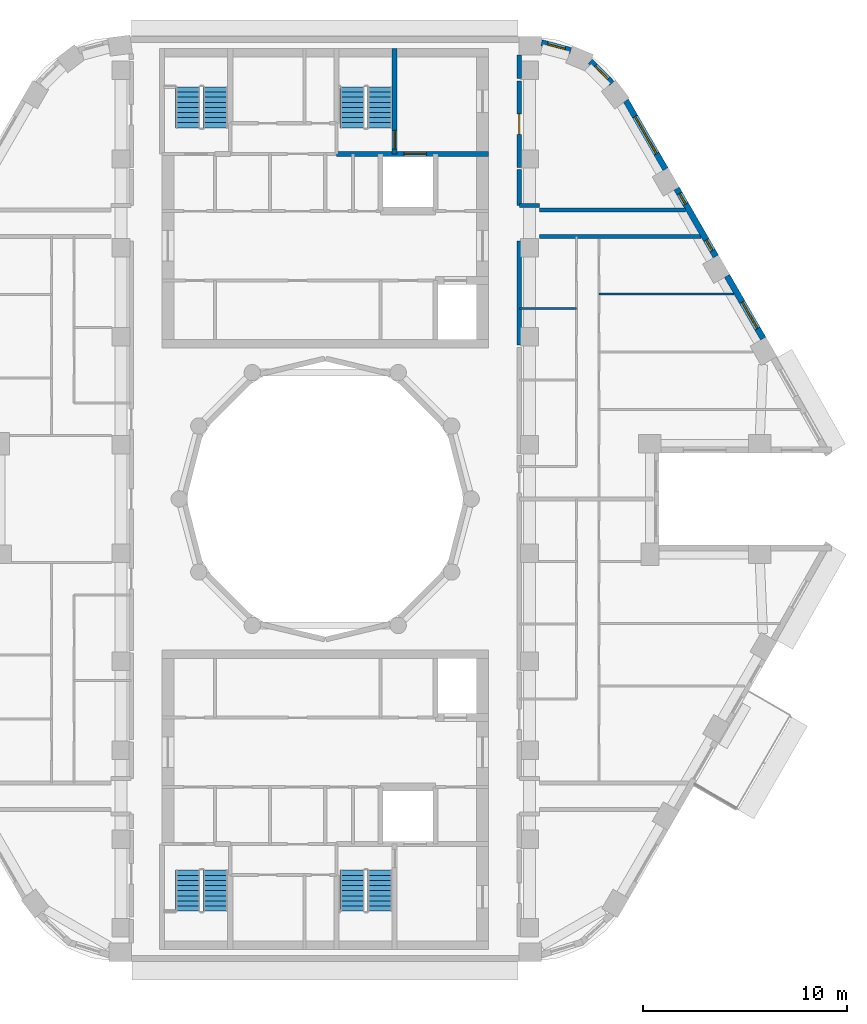
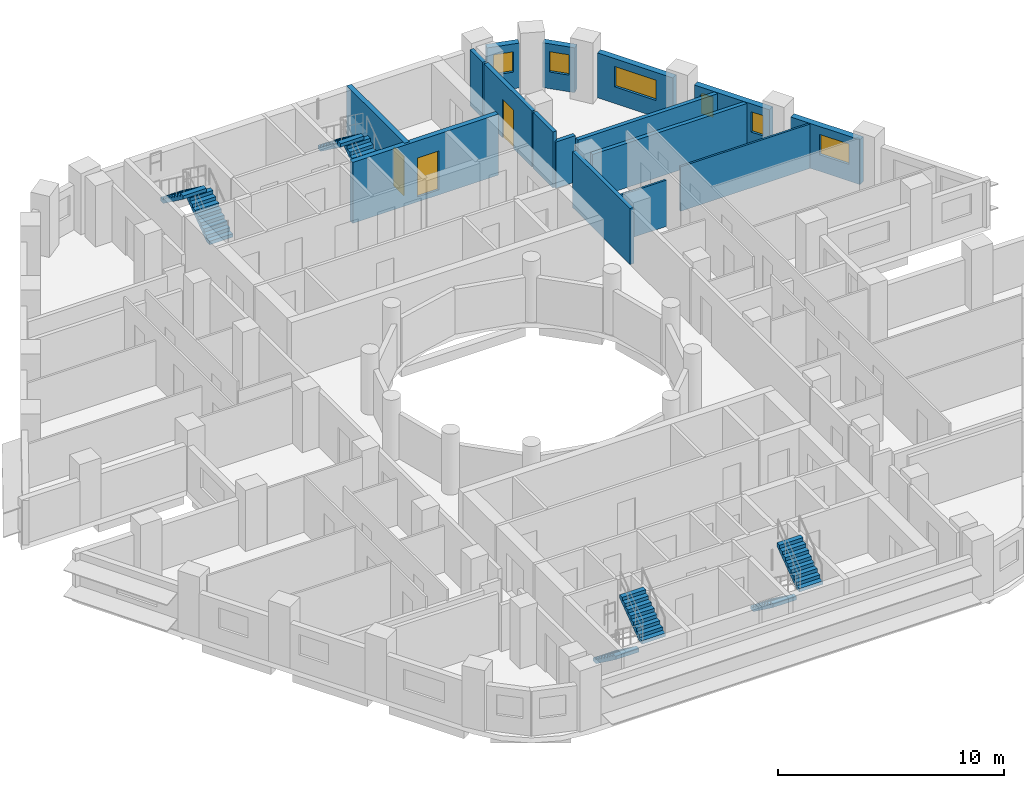
# One storey, part 8 of 12: 16 walls, 8 stair flights, 6 windows, 3 doors, 9 openings, 4 elements without a shape of their own.
"""IFC4 building model written with IfcOpenShell, lengths in metres."""

from ifc_helpers import new_model, si_unit, direction, frame, frame_2d, origin, place, context, subcontext, project, spatial, polyline, rectangle, outline, extrude, material, layer, layer_set, type_object, element, fill, aggregate, save


model = new_model("IFC4")

# Units and contexts
model_context = context("Model", 3, precision=1e-05, world=origin(), true_north=direction((0.0, 1.0)))
body_context = subcontext(model_context, "Body", "Model", "MODEL_VIEW")
ifc_project = project(units=[si_unit("LENGTHUNIT", "METRE"), si_unit("AREAUNIT", "SQUARE_METRE"), si_unit("VOLUMEUNIT", "CUBIC_METRE"), si_unit("PLANEANGLEUNIT", "RADIAN"), si_unit("MASSUNIT", "GRAM", prefix="KILO")], contexts=[model_context])

# Site, building, storey
site_placement = place(None, origin())
site = spatial("IfcSite", under=ifc_project, at=site_placement, CompositionType="ELEMENT")
building_placement = place(site_placement, origin())
building = spatial("IfcBuilding", under=site, at=building_placement, Name="Nakaniwa Court", CompositionType="ELEMENT")
storey_placement = place(building_placement, frame((0.0, 0.0, 236.10009765625)))
storey = spatial("IfcBuildingStorey", under=building, at=storey_placement, Name="L61", CompositionType="ELEMENT", Elevation=236.10009765625)

# Walls
ifc_material_1 = material(Name="Acoustic double stud partition")
ifc_layer_1 = layer(ifc_material_1, 0.199951171875)
ifc_layer_set_1 = layer_set([ifc_layer_1], Name="Acoustic double stud partition")
wall_type_1 = type_object("IfcWallType", Name="Acoustic double stud partition 200", PredefinedType="PARTITIONING", material=ifc_layer_set_1)
wall_1_placement = place(storey_placement, frame((89.5, 87.537109375, 0.0), z_axis=(0.0, 0.0, 1.0), x_axis=(0.0, 1.0, 0.0)))
element("IfcWall", 1, at=wall_1_placement, inside=storey, type_object=wall_type_1, Name="Partition PW-063", PredefinedType="PARTITIONING", context=body_context, shape_type="SweptSolid", body=[
    extrude(rectangle(XDim=5.0908203125, YDim=0.199951171875, at=frame_2d((2.54541015625, 0.0))), origin(), (0.0, 0.0, 1.0), 3.02490234375),
])
wall_2_placement = place(storey_placement, frame((89.5, 94.3720703125, 0.0), z_axis=(0.0, 0.0, 1.0), x_axis=(0.0, 1.0, 0.0)))
element("IfcWall", 2, at=wall_2_placement, inside=storey, type_object=wall_type_1, Name="Partition PW-064", PredefinedType="PARTITIONING", context=body_context, shape_type="SweptSolid", body=[
    extrude(rectangle(XDim=1.7509765625, YDim=0.199951171875, at=frame_2d((0.87548828125, 0.0))), origin(), (0.0, 0.0, 1.0), 3.02490234375),
])

# Wall, opening, door
wall_3_placement = place(storey_placement, frame((89.5, 100.472900390625, 0.0), z_axis=(0.0, 0.0, 1.0), x_axis=(0.0, -1.0, 0.0)))
wall_3 = element("IfcWall", 3, at=wall_3_placement, inside=storey, type_object=wall_type_1, Name="Partition PW-065", PredefinedType="PARTITIONING", context=body_context, shape_type="SweptSolid", body=[
    extrude(rectangle(XDim=4.23583984375, YDim=0.199951171875, at=frame_2d((2.117919921875, 0.0))), origin(), (0.0, 0.0, 1.0), 3.02490234375),
])
opening_1_placement = place(wall_3_placement, frame((1.617919921875, 0.0, 0.0)))
opening_1 = element("IfcOpeningElement", 4, at=opening_1_placement, cuts=wall_3, Name="Opening D-02-02", PredefinedType="OPENING", context=body_context, shape_type="SweptSolid", body=[
    extrude(rectangle(XDim=1.0, YDim=2.10009765625, at=frame_2d((0.5, 1.050048828125))), frame((0.0, 0.10986328125, 0.0), z_axis=(0.0, -1.0, 0.0), x_axis=(1.0, 0.0, 0.0)), (0.0, 0.0, 1.0), 0.219970703125),
])
ifc_material_2 = material(Name="Solid core timber door set, black veneer", Category="wood")
door_type_1 = type_object("IfcDoorType", Name="Internal door 1000", OperationType="NOTDEFINED", PredefinedType="DOOR", material=ifc_material_2)
door_1_placement = place(opening_1_placement, origin())
door_1 = element("IfcDoor", 5, at=door_1_placement, inside=storey, type_object=door_type_1, Name="Door D-02-02 L61-046", OperationType="SINGLE_SWING_LEFT", OverallHeight=2.10009765625, OverallWidth=1.0, PredefinedType="DOOR", context=body_context, shape_type="SweptSolid", body=[
    extrude(rectangle(XDim=1.0, YDim=2.10009765625, at=frame_2d((0.5, 1.050048828125))), frame((0.0, 0.02490234375, 0.0), z_axis=(0.0, -1.0, 0.0), x_axis=(1.0, 0.0, 0.0)), (0.0, 0.0, 1.0), 0.050048828125),
])
fill(opening_1, door_1)

# Walls
wall_4_placement = place(storey_placement, frame((89.5, 100.5869140625, 0.0), z_axis=(0.0, 0.0, 1.0), x_axis=(0.0, 1.0, 0.0)))
element("IfcWall", 6, at=wall_4_placement, inside=storey, type_object=wall_type_1, Name="Partition PW-066", PredefinedType="PARTITIONING", context=body_context, shape_type="SweptSolid", body=[
    extrude(rectangle(XDim=1.14599609375, YDim=0.199951171875, at=frame_2d((0.572998046875, 0.0))), origin(), (0.0, 0.0, 1.0), 3.02490234375),
])
wall_5_placement = place(storey_placement, frame((90.5, 92.85009765625, 0.0), z_axis=(0.0, 0.0, 1.0), x_axis=(1.0, 0.0, 0.0)))
element("IfcWall", 7, at=wall_5_placement, inside=storey, type_object=wall_type_1, Name="Partition PW-068", PredefinedType="PARTITIONING", context=body_context, shape_type="SweptSolid", body=[
    extrude(rectangle(XDim=7.888671875, YDim=0.199951171875, at=frame_2d((3.9443359375, 0.0))), origin(), (0.0, 0.0, 1.0), 2.40478515625),
])
wall_6_placement = place(storey_placement, frame((89.5, 94.375, 0.0), z_axis=(0.0, 0.0, 1.0), x_axis=(1.0, 0.0, 0.0)))
element("IfcWall", 8, at=wall_6_placement, inside=storey, type_object=wall_type_1, Name="Partition PW-070", PredefinedType="PARTITIONING", context=body_context, shape_type="SweptSolid", body=[
    extrude(rectangle(XDim=1.0, YDim=0.199951171875, at=frame_2d((0.5, 0.0))), origin(), (0.0, 0.0, 1.0), 2.5048828125),
])
wall_7_placement = place(storey_placement, frame((90.5, 94.14990234375, 0.0), z_axis=(0.0, 0.0, 1.0), x_axis=(1.0, 0.0, 0.0)))
element("IfcWall", 9, at=wall_7_placement, inside=storey, type_object=wall_type_1, Name="Partition PW-072", PredefinedType="PARTITIONING", context=body_context, shape_type="SweptSolid", body=[
    extrude(rectangle(XDim=7.13818359375, YDim=0.199951171875, at=frame_2d((3.569091796875, 0.0))), origin(), (0.0, 0.0, 1.0), 2.40478515625),
])

# Wall, opening, window
ifc_material_3 = material(Name="Charcoal ceramic cladding")
ifc_layer_2 = layer(ifc_material_3, 0.02, Name="Ceramic cladding")
ifc_material_4 = material(Name="Ventilated air cavity")
ifc_layer_3 = layer(ifc_material_4, 0.04, ventilated=True, Name="Ventilated cavity")
ifc_material_5 = material(Name="Mineral wool insulation")
ifc_layer_4 = layer(ifc_material_5, 0.1, Name="Insulation")
ifc_material_6 = material(Name="Cement bonded sheathing board")
ifc_layer_5 = layer(ifc_material_6, 0.012, Name="Sheathing")
ifc_material_7 = material(Name="Cold-formed galvanised stud frame with mineral wool infill")
ifc_layer_6 = layer(ifc_material_7, 0.1, Name="Stud frame")
ifc_material_8 = material(Name="Fire-rated gypsum plasterboard lining")
ifc_layer_7 = layer(ifc_material_8, 0.028, Name="Lining")
ifc_layer_set_2 = layer_set([ifc_layer_2, ifc_layer_3, ifc_layer_4, ifc_layer_5, ifc_layer_6, ifc_layer_7], Name="Charcoal ceramic faced external wall system")
wall_type_2 = type_object("IfcWallType", Name="Black ceramic faced external wall 300", PredefinedType="SOLIDWALL", material=ifc_layer_set_2)
wall_8_placement = place(storey_placement, frame((101.44580078125, 87.85498046875, 0.0), z_axis=(0.0, 0.0, 1.0), x_axis=(-0.500010404316, 0.866019396766, 0.0)))
wall_8 = element("IfcWall", 10, at=wall_8_placement, inside=storey, type_object=wall_type_2, Name="L61 external wall 03", PredefinedType="SOLIDWALL", context=body_context, shape_type="SweptSolid", body=[
    extrude(rectangle(XDim=3.54736328125, YDim=0.300048828125, at=frame_2d((1.773681640625, 0.0))), origin(), (0.0, 0.0, 1.0), 2.4248046875),
])
opening_2_placement = place(wall_8_placement, frame((0.56640625, 0.0, 0.89990234375)))
opening_2 = element("IfcOpeningElement", 11, at=opening_2_placement, cuts=wall_8, Name="Opening W5.05", PredefinedType="OPENING", context=body_context, shape_type="SweptSolid", body=[
    extrude(rectangle(XDim=1.5, YDim=1.10009765625, at=frame_2d((0.75, 0.550048828125))), frame((0.0, 0.159912109375, 0.0), z_axis=(0.0, -1.0, 0.0), x_axis=(1.0, 0.0, 0.0)), (0.0, 0.0, 1.0), 0.320068359375),
])
ifc_material_9 = material(Name="Black anodised aluminium frame with dark low-E laminated double glazing", Category="aluminium")
window_type_1 = type_object("IfcWindowType", Name="Dark glass window 1500x1100 sill 900", PartitioningType="SINGLE_PANEL", PredefinedType="WINDOW", material=ifc_material_9)
window_1_placement = place(opening_2_placement, origin())
window_1 = element("IfcWindow", 12, at=window_1_placement, inside=storey, type_object=window_type_1, Name="L61 bedroom window 03-0", OverallHeight=1.10009765625, OverallWidth=1.5, PartitioningType="SINGLE_PANEL", PredefinedType="WINDOW", context=body_context, shape_type="SweptSolid", body=[
    extrude(rectangle(XDim=1.5, YDim=1.10009765625, at=frame_2d((0.75, 0.550048828125))), frame((0.0, 0.030029296875, 0.0), z_axis=(0.0, -1.0, 0.0), x_axis=(1.0, 0.0, 0.0)), (0.0, 0.0, 1.0), 0.06005859375),
])
fill(opening_2, window_1)

# Wall, openings, windows
wall_9_placement = place(storey_placement, frame((99.126220703125, 91.87255859375, 0.0), z_axis=(0.0, 0.0, 1.0), x_axis=(-0.499984490703, 0.866034357896, 0.0)))
wall_9 = element("IfcWall", 13, at=wall_9_placement, inside=storey, type_object=wall_type_2, Name="L61 external wall 04", PredefinedType="SOLIDWALL", context=body_context, shape_type="SweptSolid", body=[
    extrude(rectangle(XDim=3.84423828125, YDim=0.300048828125, at=frame_2d((1.922119140625, 0.0))), origin(), (0.0, 0.0, 1.0), 2.4248046875),
])
opening_3_placement = place(wall_9_placement, frame((0.33837890625, 0.0, 0.89990234375)))
opening_3 = element("IfcOpeningElement", 14, at=opening_3_placement, cuts=wall_9, Name="Opening W8.06", PredefinedType="OPENING", context=body_context, shape_type="SweptSolid", body=[
    extrude(rectangle(XDim=0.60009765625, YDim=1.10009765625, at=frame_2d((0.300048828125, 0.550048828125))), frame((0.0, 0.159912109375, 0.0), z_axis=(0.0, -1.0, 0.0), x_axis=(1.0, 0.0, 0.0)), (0.0, 0.0, 1.0), 0.320068359375),
])
opening_4_placement = place(wall_9_placement, frame((2.961181640625, 0.0, 0.89990234375)))
opening_4 = element("IfcOpeningElement", 15, at=opening_4_placement, cuts=wall_9, Name="Opening W8.07", PredefinedType="OPENING", context=body_context, shape_type="SweptSolid", body=[
    extrude(rectangle(XDim=0.60009765625, YDim=1.10009765625, at=frame_2d((0.300048828125, 0.550048828125))), frame((0.0, 0.159912109375, 0.0), z_axis=(0.0, -1.0, 0.0), x_axis=(1.0, 0.0, 0.0)), (0.0, 0.0, 1.0), 0.320068359375),
])
window_type_2 = type_object("IfcWindowType", Name="Dark glass window 600x1100 sill 900", PartitioningType="SINGLE_PANEL", PredefinedType="WINDOW", material=ifc_material_9)
window_2_placement = place(opening_3_placement, origin())
window_2 = element("IfcWindow", 16, at=window_2_placement, inside=storey, type_object=window_type_2, Name="L61 bedroom window 04-0", OverallHeight=1.10009765625, OverallWidth=0.60009765625, PartitioningType="SINGLE_PANEL", PredefinedType="WINDOW", context=body_context, shape_type="SweptSolid", body=[
    extrude(rectangle(XDim=0.60009765625, YDim=1.10009765625, at=frame_2d((0.300048828125, 0.550048828125))), frame((0.0, 0.030029296875, 0.0), z_axis=(0.0, -1.0, 0.0), x_axis=(1.0, 0.0, 0.0)), (0.0, 0.0, 1.0), 0.06005859375),
])
fill(opening_3, window_2)
window_3_placement = place(opening_4_placement, origin())
window_3 = element("IfcWindow", 17, at=window_3_placement, inside=storey, type_object=window_type_2, Name="L61 habitable room window 04-2", OverallHeight=1.10009765625, OverallWidth=0.60009765625, PartitioningType="SINGLE_PANEL", PredefinedType="WINDOW", context=body_context, shape_type="SweptSolid", body=[
    extrude(rectangle(XDim=0.60009765625, YDim=1.10009765625, at=frame_2d((0.300048828125, 0.550048828125))), frame((0.0, 0.030029296875, 0.0), z_axis=(0.0, -1.0, 0.0), x_axis=(1.0, 0.0, 0.0)), (0.0, 0.0, 1.0), 0.06005859375),
])
fill(opening_4, window_3)

# Wall, opening, window
wall_10_placement = place(storey_placement, frame((96.657958984375, 96.1474609375, 0.0), z_axis=(0.0, 0.0, 1.0), x_axis=(-0.500011218404, 0.866018926739, 0.0)))
wall_10 = element("IfcWall", 18, at=wall_10_placement, inside=storey, type_object=wall_type_2, Name="L61 external wall 05", PredefinedType="SOLIDWALL", context=body_context, shape_type="SweptSolid", body=[
    extrude(rectangle(XDim=3.87890625, YDim=0.300048828125, at=frame_2d((1.939453125, 0.0))), origin(), (0.0, 0.0, 1.0), 2.4248046875),
])
opening_5_placement = place(wall_10_placement, frame((0.878173828125, 0.0, 0.89990234375)))
opening_5 = element("IfcOpeningElement", 19, at=opening_5_placement, cuts=wall_10, Name="Opening W7.08", PredefinedType="OPENING", context=body_context, shape_type="SweptSolid", body=[
    extrude(rectangle(XDim=2.10009765625, YDim=1.10009765625, at=frame_2d((1.050048828125, 0.550048828125))), frame((0.0, 0.159912109375, 0.0), z_axis=(0.0, -1.0, 0.0), x_axis=(1.0, 0.0, 0.0)), (0.0, 0.0, 1.0), 0.320068359375),
])
window_type_3 = type_object("IfcWindowType", Name="Dark glass window 2100x1100 sill 900", PartitioningType="SINGLE_PANEL", PredefinedType="WINDOW", material=ifc_material_9)
window_4_placement = place(opening_5_placement, origin())
window_4 = element("IfcWindow", 20, at=window_4_placement, inside=storey, type_object=window_type_3, Name="L61 habitable room window 05-0", OverallHeight=1.10009765625, OverallWidth=2.10009765625, PartitioningType="SINGLE_PANEL", PredefinedType="WINDOW", context=body_context, shape_type="SweptSolid", body=[
    extrude(rectangle(XDim=2.10009765625, YDim=1.10009765625, at=frame_2d((1.050048828125, 0.550048828125))), frame((0.0, 0.030029296875, 0.0), z_axis=(0.0, -1.0, 0.0), x_axis=(1.0, 0.0, 0.0)), (0.0, 0.0, 1.0), 0.06005859375),
])
fill(opening_5, window_4)

wall_11_placement = place(storey_placement, frame((94.0341796875, 100.3583984375, 0.0), z_axis=(0.0, 0.0, 1.0), x_axis=(-0.698675602211, 0.71543860874, 0.0)))
wall_11 = element("IfcWall", 21, at=wall_11_placement, inside=storey, type_object=wall_type_2, Name="L61 external wall 06", PredefinedType="SOLIDWALL", context=body_context, shape_type="SweptSolid", body=[
    extrude(rectangle(XDim=1.5, YDim=0.300048828125, at=frame_2d((0.75, 0.0))), origin(), (0.0, 0.0, 1.0), 2.4248046875),
])
opening_6_placement = place(wall_11_placement, frame((0.27587890625, 0.0, 0.89990234375)))
opening_6 = element("IfcOpeningElement", 22, at=opening_6_placement, cuts=wall_11, Name="Opening W9.09", PredefinedType="OPENING", context=body_context, shape_type="SweptSolid", body=[
    extrude(rectangle(XDim=0.89990234375, YDim=1.10009765625, at=frame_2d((0.449951171875, 0.550048828125))), frame((0.0, 0.159912109375, 0.0), z_axis=(0.0, -1.0, 0.0), x_axis=(1.0, 0.0, 0.0)), (0.0, 0.0, 1.0), 0.320068359375),
])
window_type_4 = type_object("IfcWindowType", Name="Dark glass window 900x1100 sill 900", PartitioningType="SINGLE_PANEL", PredefinedType="WINDOW", material=ifc_material_9)
window_5_placement = place(opening_6_placement, origin())
window_5 = element("IfcWindow", 23, at=window_5_placement, inside=storey, type_object=window_type_4, Name="L61 habitable room window 06-0", OverallHeight=1.10009765625, OverallWidth=0.89990234375, PartitioningType="SINGLE_PANEL", PredefinedType="WINDOW", context=body_context, shape_type="SweptSolid", body=[
    extrude(rectangle(XDim=0.89990234375, YDim=1.10009765625, at=frame_2d((0.449951171875, 0.550048828125))), frame((0.0, 0.030029296875, 0.0), z_axis=(0.0, -1.0, 0.0), x_axis=(1.0, 0.0, 0.0)), (0.0, 0.0, 1.0), 0.06005859375),
])
fill(opening_6, window_5)

wall_12_placement = place(storey_placement, frame((92.02099609375, 101.956298828125, 0.0), z_axis=(0.0, 0.0, 1.0), x_axis=(-0.965392564919, 0.260801065181, 0.0)))
wall_12 = element("IfcWall", 24, at=wall_12_placement, inside=storey, type_object=wall_type_2, Name="L61 external wall 07", PredefinedType="SOLIDWALL", context=body_context, shape_type="SweptSolid", body=[
    extrude(rectangle(XDim=1.48095703125, YDim=0.300048828125, at=frame_2d((0.740478515625, 0.0))), origin(), (0.0, 0.0, 1.0), 2.4248046875),
])
opening_7_placement = place(wall_12_placement, frame((0.280029296875, 0.0, 0.89990234375)))
opening_7 = element("IfcOpeningElement", 25, at=opening_7_placement, cuts=wall_12, Name="Opening W9.10", PredefinedType="OPENING", context=body_context, shape_type="SweptSolid", body=[
    extrude(rectangle(XDim=0.89990234375, YDim=1.10009765625, at=frame_2d((0.449951171875, 0.550048828125))), frame((0.0, 0.159912109375, 0.0), z_axis=(0.0, -1.0, 0.0), x_axis=(1.0, 0.0, 0.0)), (0.0, 0.0, 1.0), 0.320068359375),
])
window_6_placement = place(opening_7_placement, origin())
window_6 = element("IfcWindow", 26, at=window_6_placement, inside=storey, type_object=window_type_4, Name="L61 habitable room window 07-0", OverallHeight=1.10009765625, OverallWidth=0.89990234375, PartitioningType="SINGLE_PANEL", PredefinedType="WINDOW", context=body_context, shape_type="SweptSolid", body=[
    extrude(rectangle(XDim=0.89990234375, YDim=1.10009765625, at=frame_2d((0.449951171875, 0.550048828125))), frame((0.0, 0.030029296875, 0.0), z_axis=(0.0, -1.0, 0.0), x_axis=(1.0, 0.0, 0.0)), (0.0, 0.0, 1.0), 0.06005859375),
])
fill(opening_7, window_6)

# Wall, opening, door
ifc_material_10 = material(Name="Concrete C80/100", Category="concrete")
ifc_layer_8 = layer(ifc_material_10, 0.25)
ifc_layer_set_3 = layer_set([ifc_layer_8], Name="Concrete C80/100")
wall_type_3 = type_object("IfcWallType", Name="Concrete shaft wall 250 C80", PredefinedType="SHEAR", material=ifc_layer_set_3)
wall_13_placement = place(storey_placement, frame((80.547119140625, 96.89990234375, -0.275146484375), z_axis=(0.0, 0.0, 1.0), x_axis=(1.0, 0.0, 0.0)))
wall_13 = element("IfcWall", 27, at=wall_13_placement, inside=storey, type_object=wall_type_3, Name="Core wall SW-16", PredefinedType="SHEAR", context=body_context, shape_type="SweptSolid", body=[
    extrude(rectangle(XDim=7.452880859375, YDim=0.25, at=frame_2d((3.7265625, 0.0))), origin(), (0.0, 0.0, 1.0), 3.300048828125),
])
opening_8_placement = place(wall_13_placement, frame((3.302001953125, 0.0, 0.27490234375)))
opening_8 = element("IfcOpeningElement", 28, at=opening_8_placement, cuts=wall_13, Name="Opening LD02", PredefinedType="OPENING", context=body_context, shape_type="SweptSolid", body=[
    extrude(rectangle(XDim=1.10009765625, YDim=2.10009765625, at=frame_2d((0.550048828125, 1.050048828125))), frame((0.0, 0.135009765625, 0.0), z_axis=(0.0, -1.0, 0.0), x_axis=(1.0, 0.0, 0.0)), (0.0, 0.0, 1.0), 0.27001953125),
])
ifc_material_11 = material(Name="Stainless steel sliding lift landing door", Category="steel")
door_type_2 = type_object("IfcDoorType", Name="Lift landing door 1100", OperationType="NOTDEFINED", PredefinedType="DOOR", material=ifc_material_11)
door_2_placement = place(opening_8_placement, origin())
door_2 = element("IfcDoor", 29, at=door_2_placement, inside=storey, type_object=door_type_2, Name="Lift landing door LD02 L61-002", OperationType="SLIDING_TO_LEFT", OverallHeight=2.10009765625, OverallWidth=1.10009765625, PredefinedType="DOOR", context=body_context, shape_type="SweptSolid", body=[
    extrude(rectangle(XDim=1.10009765625, YDim=2.10009765625, at=frame_2d((0.550048828125, 1.050048828125))), frame((0.0, 0.02490234375, 0.0), z_axis=(0.0, -1.0, 0.0), x_axis=(1.0, 0.0, 0.0)), (0.0, 0.0, 1.0), 0.050048828125),
])
fill(opening_8, door_2)

wall_14_placement = place(storey_placement, frame((83.39990234375, 102.050048828125, -0.275146484375), z_axis=(0.0, 0.0, 1.0), x_axis=(0.0, -1.0, 0.0)))
wall_14 = element("IfcWall", 30, at=wall_14_placement, inside=storey, type_object=wall_type_3, Name="Core wall SW-24", PredefinedType="SHEAR", context=body_context, shape_type="SweptSolid", body=[
    extrude(rectangle(XDim=5.150146484375, YDim=0.25, at=frame_2d((2.5751953125, 0.0))), origin(), (0.0, 0.0, 1.0), 3.300048828125),
])
opening_9_placement = place(wall_14_placement, frame((4.0, 0.0, 0.27490234375)))
opening_9 = element("IfcOpeningElement", 31, at=opening_9_placement, cuts=wall_14, Name="Opening D-11-01", PredefinedType="OPENING", context=body_context, shape_type="SweptSolid", body=[
    extrude(rectangle(XDim=0.89990234375, YDim=2.10009765625, at=frame_2d((0.449951171875, 1.050048828125))), frame((0.0, 0.135009765625, 0.0), z_axis=(0.0, -1.0, 0.0), x_axis=(1.0, 0.0, 0.0)), (0.0, 0.0, 1.0), 0.27001953125),
])
ifc_material_12 = material(Name="Fire rated steel door set", Category="steel")
door_type_3 = type_object("IfcDoorType", Name="Stair door 900", OperationType="NOTDEFINED", PredefinedType="DOOR", material=ifc_material_12)
door_3_placement = place(opening_9_placement, origin())
door_3 = element("IfcDoor", 32, at=door_3_placement, inside=storey, type_object=door_type_3, Name="Door D-11-01 L61-014", OperationType="SINGLE_SWING_RIGHT", OverallHeight=2.10009765625, OverallWidth=0.89990234375, PredefinedType="DOOR", context=body_context, shape_type="SweptSolid", body=[
    extrude(rectangle(XDim=0.89990234375, YDim=2.10009765625, at=frame_2d((0.449951171875, 1.050048828125))), frame((0.0, 0.02490234375, 0.0), z_axis=(0.0, -1.0, 0.0), x_axis=(1.0, 0.0, 0.0)), (0.0, 0.0, 1.0), 0.050048828125),
])
fill(opening_9, door_3)

# Walls
ifc_material_13 = material(Name="Single stud plasterboard partition")
ifc_layer_9 = layer(ifc_material_13, 0.10009765625)
ifc_layer_set_4 = layer_set([ifc_layer_9], Name="Single stud plasterboard partition")
wall_type_4 = type_object("IfcWallType", Name="Single stud plasterboard partition 100", PredefinedType="PARTITIONING", material=ifc_layer_set_4)
wall_15_placement = place(storey_placement, frame((89.5, 89.333984375, 0.0), z_axis=(0.0, 0.0, 1.0), x_axis=(1.0, 0.0, 0.0)))
element("IfcWall", 33, at=wall_15_placement, inside=storey, type_object=wall_type_4, Name="Partition PW-102", PredefinedType="PARTITIONING", context=body_context, shape_type="SweptSolid", body=[
    extrude(rectangle(XDim=2.800048828125, YDim=0.10009765625, at=frame_2d((1.39990234375, 0.0))), origin(), (0.0, 0.0, 1.0), 2.5048828125),
])
wall_16_placement = place(storey_placement, frame((93.39990234375, 90.029052734375, 0.0), z_axis=(0.0, 0.0, 1.0), x_axis=(1.0, 0.0, 0.0)))
element("IfcWall", 34, at=wall_16_placement, inside=storey, type_object=wall_type_4, Name="Partition PW-105", PredefinedType="PARTITIONING", context=body_context, shape_type="SweptSolid", body=[
    extrude(rectangle(XDim=6.6171875, YDim=0.10009765625, at=frame_2d((3.30859375, 0.0))), origin(), (0.0, 0.0, 1.0), 2.40478515625),
])

# Stair, stair flights
stair_type = type_object("IfcStairType", Name="Dog leg stair 1200 wide 18 risers", PredefinedType="HALF_TURN_STAIR", material=ifc_material_10)
stair_1_placement = place(storey_placement, origin())
stair_1 = element("IfcStair", 35, at=stair_1_placement, inside=storey, type_object=stair_type, Name="L61 Stair ST1", PredefinedType="HALF_TURN_STAIR")
stair_flight_type = type_object("IfcStairFlightType", Name="Stair flight 1200 wide 9 risers", PredefinedType="STRAIGHT", material=ifc_material_10)
stair_flight_1_placement = place(storey_placement, frame((74.625, 98.175048828125, 0.0), z_axis=(0.0, 0.0, 1.0), x_axis=(0.0, 1.0, 0.0)))
stair_flight_1 = element("IfcStairFlight", 36, at=stair_flight_1_placement, type_object=stair_flight_type, Name="ST1 flight 1", NumberOfRisers=9, NumberOfTreads=8, PredefinedType="STRAIGHT", RiserHeight=0.183333333, TreadLength=0.25, context=body_context, shape_type="SweptSolid", body=[
    extrude(outline(polyline([(0.0, 0.0), (0.0, 0.026123046875), (0.0, 0.052490234375), (0.0, 0.07861328125), (0.0, 0.104736328125), (0.0, 0.130859375), (0.0, 0.1572265625), (0.0, 0.183349609375), (0.25, 0.183349609375), (0.25, 0.36669921875), (0.5, 0.36669921875), (0.5, 0.550048828125), (0.75, 0.550048828125), (0.75, 0.7333984375), (1.0, 0.7333984375), (1.0, 0.916748046875), (1.25, 0.916748046875), (1.25, 1.10009765625), (1.5, 1.10009765625), (1.5, 1.283447265625), (1.75, 1.283447265625), (1.75, 1.466552734375), (2.0, 1.466552734375), (2.0, 1.64990234375), (2.0, 1.59716796875), (2.0, 1.54443359375), (2.0, 1.49169921875), (2.0, 1.43896484375), (2.0, 1.38623046875), (2.0, 1.33349609375), (2.0, 1.28076171875), (0.25341796875, 0.0), (0.0, 0.0)])), frame((0.0, 0.60009765625, 0.0), z_axis=(0.0, -1.0, 0.0), x_axis=(1.0, 0.0, 0.0)), (0.0, 0.0, 1.0), 1.199951171875),
])
stair_flight_2_placement = place(storey_placement, frame((73.27490234375, 100.175048828125, 1.64990234375), z_axis=(0.0, 0.0, 1.0), x_axis=(0.0, -1.0, 0.0)))
stair_flight_2 = element("IfcStairFlight", 37, at=stair_flight_2_placement, type_object=stair_flight_type, Name="ST1 flight 2", NumberOfRisers=9, NumberOfTreads=8, PredefinedType="STRAIGHT", RiserHeight=0.183333333, TreadLength=0.25, context=body_context, shape_type="SweptSolid", body=[
    extrude(outline(polyline([(0.0, 0.0), (0.0, 0.026123046875), (0.0, 0.052490234375), (0.0, 0.07861328125), (0.0, 0.104736328125), (0.0, 0.130859375), (0.0, 0.1572265625), (0.0, 0.183349609375), (0.25, 0.183349609375), (0.25, 0.36669921875), (0.5, 0.36669921875), (0.5, 0.550048828125), (0.75, 0.550048828125), (0.75, 0.7333984375), (1.0, 0.7333984375), (1.0, 0.916748046875), (1.25, 0.916748046875), (1.25, 1.10009765625), (1.5, 1.10009765625), (1.5, 1.283447265625), (1.75, 1.283447265625), (1.75, 1.466552734375), (2.0, 1.466552734375), (2.0, 1.64990234375), (2.0, 1.59716796875), (2.0, 1.54443359375), (2.0, 1.49169921875), (2.0, 1.43896484375), (2.0, 1.38623046875), (2.0, 1.33349609375), (2.0, 1.28076171875), (0.25341796875, 0.0), (0.0, 0.0)])), frame((0.0, 0.60009765625, 0.0), z_axis=(0.0, -1.0, 0.0), x_axis=(1.0, 0.0, 0.0)), (0.0, 0.0, 1.0), 1.199951171875),
])
aggregate(stair_1, [stair_flight_1, stair_flight_2])

stair_2_placement = place(storey_placement, origin())
stair_2 = element("IfcStair", 38, at=stair_2_placement, inside=storey, type_object=stair_type, Name="L61 Stair ST2", PredefinedType="HALF_TURN_STAIR")
stair_flight_3_placement = place(storey_placement, frame((82.675048828125, 98.175048828125, 0.0), z_axis=(0.0, 0.0, 1.0), x_axis=(0.0, 1.0, 0.0)))
stair_flight_3 = element("IfcStairFlight", 39, at=stair_flight_3_placement, type_object=stair_flight_type, Name="ST2 flight 1", NumberOfRisers=9, NumberOfTreads=8, PredefinedType="STRAIGHT", RiserHeight=0.183333333, TreadLength=0.25, context=body_context, shape_type="SweptSolid", body=[
    extrude(outline(polyline([(0.0, 0.0), (0.0, 0.026123046875), (0.0, 0.052490234375), (0.0, 0.07861328125), (0.0, 0.104736328125), (0.0, 0.130859375), (0.0, 0.1572265625), (0.0, 0.183349609375), (0.25, 0.183349609375), (0.25, 0.36669921875), (0.5, 0.36669921875), (0.5, 0.550048828125), (0.75, 0.550048828125), (0.75, 0.7333984375), (1.0, 0.7333984375), (1.0, 0.916748046875), (1.25, 0.916748046875), (1.25, 1.10009765625), (1.5, 1.10009765625), (1.5, 1.283447265625), (1.75, 1.283447265625), (1.75, 1.466552734375), (2.0, 1.466552734375), (2.0, 1.64990234375), (2.0, 1.59716796875), (2.0, 1.54443359375), (2.0, 1.49169921875), (2.0, 1.43896484375), (2.0, 1.38623046875), (2.0, 1.33349609375), (2.0, 1.28076171875), (0.25341796875, 0.0), (0.0, 0.0)])), frame((0.0, 0.60009765625, 0.0), z_axis=(0.0, -1.0, 0.0), x_axis=(1.0, 0.0, 0.0)), (0.0, 0.0, 1.0), 1.199951171875),
])
stair_flight_4_placement = place(storey_placement, frame((81.324951171875, 100.175048828125, 1.64990234375), z_axis=(0.0, 0.0, 1.0), x_axis=(0.0, -1.0, 0.0)))
stair_flight_4 = element("IfcStairFlight", 40, at=stair_flight_4_placement, type_object=stair_flight_type, Name="ST2 flight 2", NumberOfRisers=9, NumberOfTreads=8, PredefinedType="STRAIGHT", RiserHeight=0.183333333, TreadLength=0.25, context=body_context, shape_type="SweptSolid", body=[
    extrude(outline(polyline([(0.0, 0.0), (0.0, 0.026123046875), (0.0, 0.052490234375), (0.0, 0.07861328125), (0.0, 0.104736328125), (0.0, 0.130859375), (0.0, 0.1572265625), (0.0, 0.183349609375), (0.25, 0.183349609375), (0.25, 0.36669921875), (0.5, 0.36669921875), (0.5, 0.550048828125), (0.75, 0.550048828125), (0.75, 0.7333984375), (1.0, 0.7333984375), (1.0, 0.916748046875), (1.25, 0.916748046875), (1.25, 1.10009765625), (1.5, 1.10009765625), (1.5, 1.283447265625), (1.75, 1.283447265625), (1.75, 1.466552734375), (2.0, 1.466552734375), (2.0, 1.64990234375), (2.0, 1.59716796875), (2.0, 1.54443359375), (2.0, 1.49169921875), (2.0, 1.43896484375), (2.0, 1.38623046875), (2.0, 1.33349609375), (2.0, 1.28076171875), (0.25341796875, 0.0), (0.0, 0.0)])), frame((0.0, 0.60009765625, 0.0), z_axis=(0.0, -1.0, 0.0), x_axis=(1.0, 0.0, 0.0)), (0.0, 0.0, 1.0), 1.199951171875),
])
aggregate(stair_2, [stair_flight_3, stair_flight_4])

stair_3_placement = place(storey_placement, origin())
stair_3 = element("IfcStair", 41, at=stair_3_placement, inside=storey, type_object=stair_type, Name="L61 Stair ST3", PredefinedType="HALF_TURN_STAIR")
stair_flight_5_placement = place(storey_placement, frame((73.27490234375, 61.824951171875, 0.0), z_axis=(0.0, 0.0, 1.0), x_axis=(0.0, -1.0, 0.0)))
stair_flight_5 = element("IfcStairFlight", 42, at=stair_flight_5_placement, type_object=stair_flight_type, Name="ST3 flight 1", NumberOfRisers=9, NumberOfTreads=8, PredefinedType="STRAIGHT", RiserHeight=0.183333333, TreadLength=0.25, context=body_context, shape_type="SweptSolid", body=[
    extrude(outline(polyline([(0.0, 0.0), (0.0, 0.026123046875), (0.0, 0.052490234375), (0.0, 0.07861328125), (0.0, 0.104736328125), (0.0, 0.130859375), (0.0, 0.1572265625), (0.0, 0.183349609375), (0.25, 0.183349609375), (0.25, 0.36669921875), (0.5, 0.36669921875), (0.5, 0.550048828125), (0.75, 0.550048828125), (0.75, 0.7333984375), (1.0, 0.7333984375), (1.0, 0.916748046875), (1.25, 0.916748046875), (1.25, 1.10009765625), (1.5, 1.10009765625), (1.5, 1.283447265625), (1.75, 1.283447265625), (1.75, 1.466552734375), (2.0, 1.466552734375), (2.0, 1.64990234375), (2.0, 1.59716796875), (2.0, 1.54443359375), (2.0, 1.49169921875), (2.0, 1.43896484375), (2.0, 1.38623046875), (2.0, 1.33349609375), (2.0, 1.28076171875), (0.25341796875, 0.0), (0.0, 0.0)])), frame((0.0, 0.60009765625, 0.0), z_axis=(0.0, -1.0, 0.0), x_axis=(1.0, 0.0, 0.0)), (0.0, 0.0, 1.0), 1.199951171875),
])
stair_flight_6_placement = place(storey_placement, frame((74.625, 59.824951171875, 1.64990234375), z_axis=(0.0, 0.0, 1.0), x_axis=(0.0, 1.0, 0.0)))
stair_flight_6 = element("IfcStairFlight", 43, at=stair_flight_6_placement, type_object=stair_flight_type, Name="ST3 flight 2", NumberOfRisers=9, NumberOfTreads=8, PredefinedType="STRAIGHT", RiserHeight=0.183333333, TreadLength=0.25, context=body_context, shape_type="SweptSolid", body=[
    extrude(outline(polyline([(0.0, 0.0), (0.0, 0.026123046875), (0.0, 0.052490234375), (0.0, 0.07861328125), (0.0, 0.104736328125), (0.0, 0.130859375), (0.0, 0.1572265625), (0.0, 0.183349609375), (0.25, 0.183349609375), (0.25, 0.36669921875), (0.5, 0.36669921875), (0.5, 0.550048828125), (0.75, 0.550048828125), (0.75, 0.7333984375), (1.0, 0.7333984375), (1.0, 0.916748046875), (1.25, 0.916748046875), (1.25, 1.10009765625), (1.5, 1.10009765625), (1.5, 1.283447265625), (1.75, 1.283447265625), (1.75, 1.466552734375), (2.0, 1.466552734375), (2.0, 1.64990234375), (2.0, 1.59716796875), (2.0, 1.54443359375), (2.0, 1.49169921875), (2.0, 1.43896484375), (2.0, 1.38623046875), (2.0, 1.33349609375), (2.0, 1.28076171875), (0.25341796875, 0.0), (0.0, 0.0)])), frame((0.0, 0.60009765625, 0.0), z_axis=(0.0, -1.0, 0.0), x_axis=(1.0, 0.0, 0.0)), (0.0, 0.0, 1.0), 1.199951171875),
])
aggregate(stair_3, [stair_flight_5, stair_flight_6])

stair_4_placement = place(storey_placement, origin())
stair_4 = element("IfcStair", 44, at=stair_4_placement, inside=storey, type_object=stair_type, Name="L61 Stair ST4", PredefinedType="HALF_TURN_STAIR")
stair_flight_7_placement = place(storey_placement, frame((81.324951171875, 61.824951171875, 0.0), z_axis=(0.0, 0.0, 1.0), x_axis=(0.0, -1.0, 0.0)))
stair_flight_7 = element("IfcStairFlight", 45, at=stair_flight_7_placement, type_object=stair_flight_type, Name="ST4 flight 1", NumberOfRisers=9, NumberOfTreads=8, PredefinedType="STRAIGHT", RiserHeight=0.183333333, TreadLength=0.25, context=body_context, shape_type="SweptSolid", body=[
    extrude(outline(polyline([(0.0, 0.0), (0.0, 0.026123046875), (0.0, 0.052490234375), (0.0, 0.07861328125), (0.0, 0.104736328125), (0.0, 0.130859375), (0.0, 0.1572265625), (0.0, 0.183349609375), (0.25, 0.183349609375), (0.25, 0.36669921875), (0.5, 0.36669921875), (0.5, 0.550048828125), (0.75, 0.550048828125), (0.75, 0.7333984375), (1.0, 0.7333984375), (1.0, 0.916748046875), (1.25, 0.916748046875), (1.25, 1.10009765625), (1.5, 1.10009765625), (1.5, 1.283447265625), (1.75, 1.283447265625), (1.75, 1.466552734375), (2.0, 1.466552734375), (2.0, 1.64990234375), (2.0, 1.59716796875), (2.0, 1.54443359375), (2.0, 1.49169921875), (2.0, 1.43896484375), (2.0, 1.38623046875), (2.0, 1.33349609375), (2.0, 1.28076171875), (0.25341796875, 0.0), (0.0, 0.0)])), frame((0.0, 0.60009765625, 0.0), z_axis=(0.0, -1.0, 0.0), x_axis=(1.0, 0.0, 0.0)), (0.0, 0.0, 1.0), 1.199951171875),
])
stair_flight_8_placement = place(storey_placement, frame((82.675048828125, 59.824951171875, 1.64990234375), z_axis=(0.0, 0.0, 1.0), x_axis=(0.0, 1.0, 0.0)))
stair_flight_8 = element("IfcStairFlight", 46, at=stair_flight_8_placement, type_object=stair_flight_type, Name="ST4 flight 2", NumberOfRisers=9, NumberOfTreads=8, PredefinedType="STRAIGHT", RiserHeight=0.183333333, TreadLength=0.25, context=body_context, shape_type="SweptSolid", body=[
    extrude(outline(polyline([(0.0, 0.0), (0.0, 0.026123046875), (0.0, 0.052490234375), (0.0, 0.07861328125), (0.0, 0.104736328125), (0.0, 0.130859375), (0.0, 0.1572265625), (0.0, 0.183349609375), (0.25, 0.183349609375), (0.25, 0.36669921875), (0.5, 0.36669921875), (0.5, 0.550048828125), (0.75, 0.550048828125), (0.75, 0.7333984375), (1.0, 0.7333984375), (1.0, 0.916748046875), (1.25, 0.916748046875), (1.25, 1.10009765625), (1.5, 1.10009765625), (1.5, 1.283447265625), (1.75, 1.283447265625), (1.75, 1.466552734375), (2.0, 1.466552734375), (2.0, 1.64990234375), (2.0, 1.59716796875), (2.0, 1.54443359375), (2.0, 1.49169921875), (2.0, 1.43896484375), (2.0, 1.38623046875), (2.0, 1.33349609375), (2.0, 1.28076171875), (0.25341796875, 0.0), (0.0, 0.0)])), frame((0.0, 0.60009765625, 0.0), z_axis=(0.0, -1.0, 0.0), x_axis=(1.0, 0.0, 0.0)), (0.0, 0.0, 1.0), 1.199951171875),
])
aggregate(stair_4, [stair_flight_7, stair_flight_8])

save(model, "model.ifc")
